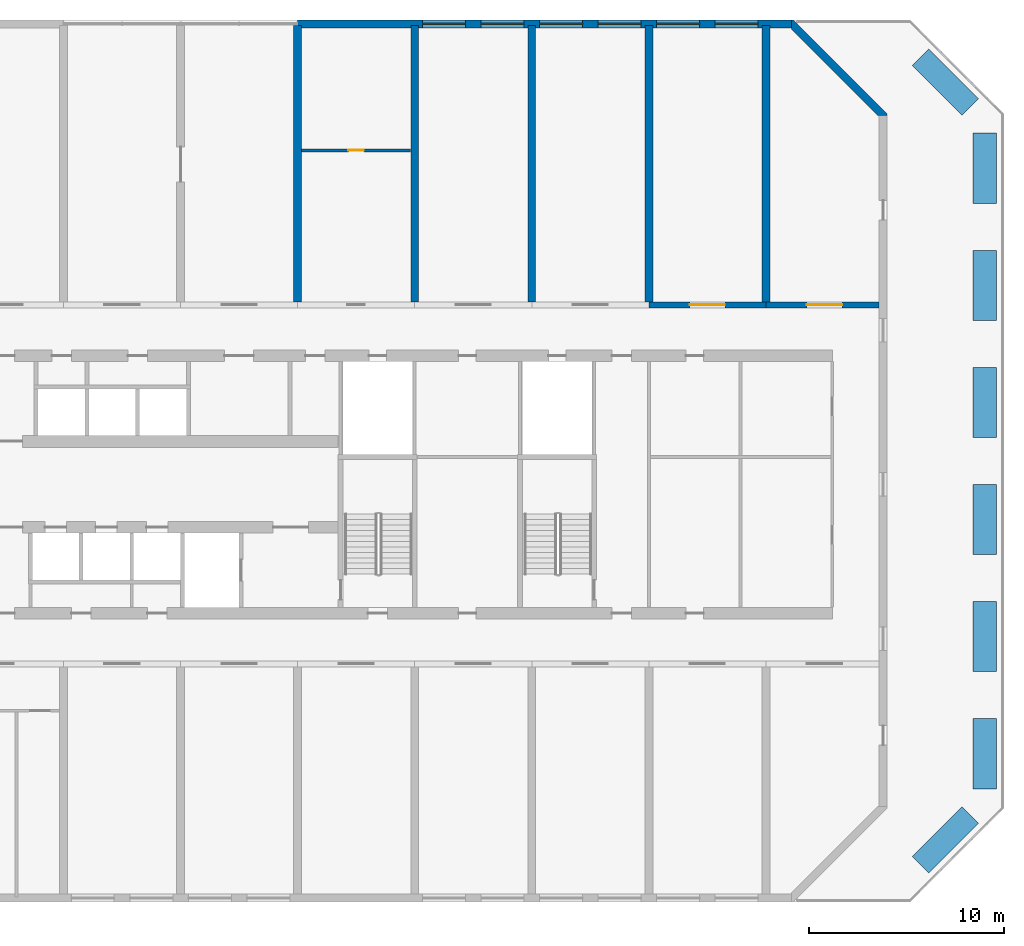
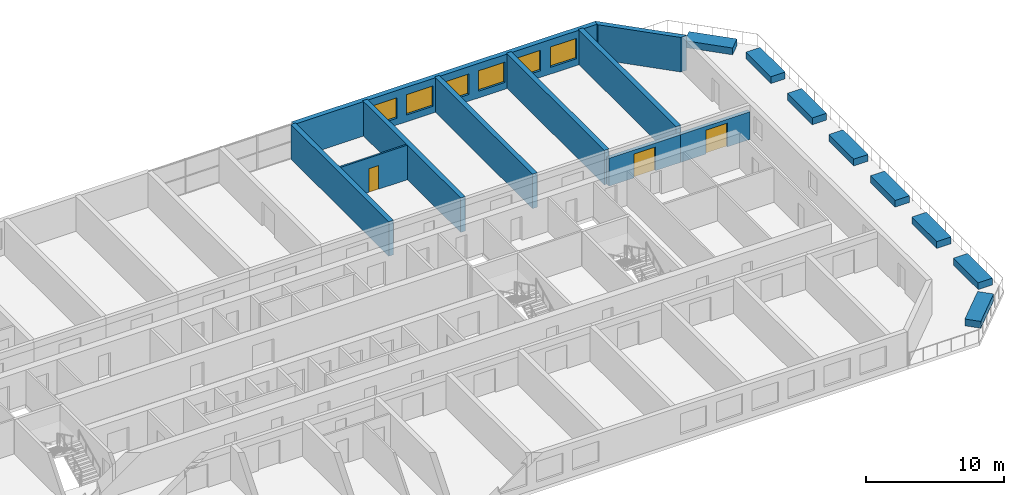
# One storey, part 16 of 21: 18 walls, 6 windows, 3 doors, 9 openings.
"""IFC4 building model written with IfcOpenShell, lengths in metres."""

import ifcopenshell
import ifcopenshell.guid

model = None  # the IFC model being written
_history = None  # IfcOwnerHistory: only IFC2X3 demands one
_inside = {}  # id of a spatial element -> (the spatial element, [elements in it])
_under = {}  # id of a project, library or spatial element -> (it, [spatial elements below it])
_declared = {}  # id of a project -> (the project, [libraries it declares])
_typed = {}  # id of a type object -> (the type object, [elements of that type])
_made_of = {}  # id of a material, layer set ... -> (it, [elements and type objects made of it])


def new_model(schema):
    """Start an empty IFC model of exactly this schema.

    Asked for "IFC4X3", IfcOpenShell would pick the latest addendum, in which some entities
    have other attributes; the version numbers below select the first issue.
    IFC2X3 requires an IfcOwnerHistory on every rooted entity: one is made here for all.
    """
    global model, _history
    if schema == "IFC4X3":
        model = ifcopenshell.file(schema_version=(4, 3, 0, 0))
    else:
        model = ifcopenshell.file(schema=schema)
    _inside.clear()
    _under.clear()
    _declared.clear()
    _typed.clear()
    _made_of.clear()
    _history = None
    if model.schema == "IFC2X3":
        org = make("IfcOrganization", Name="unknown")
        user = make(
            "IfcPersonAndOrganization",
            ThePerson=make("IfcPerson", FamilyName="unknown"),
            TheOrganization=org,
        )
        app = make(
            "IfcApplication",
            ApplicationDeveloper=org,
            Version="unknown",
            ApplicationFullName="unknown",
            ApplicationIdentifier="unknown",
        )
        _history = make(
            "IfcOwnerHistory",
            OwningUser=user,
            OwningApplication=app,
            ChangeAction="ADDED",
            CreationDate=0,
        )
    return model


def make(cls, **values):
    """One entity of the class cls with the attributes given. An attribute that is None is left unset."""
    return model.create_entity(
        cls, **{name: value for name, value in values.items() if value is not None}
    )


def rooted(cls, **values):
    """An entity with a GlobalId (a new one), such as an element, a storey or a relation."""
    return make(cls, GlobalId=ifcopenshell.guid.new(), OwnerHistory=_history, **values)


def si_unit(unit_type, name, prefix=None):
    """IfcSIUnit, for example si_unit("LENGTHUNIT", "METRE", prefix="MILLI")."""
    return make("IfcSIUnit", UnitType=unit_type, Prefix=prefix, Name=name)


def assignment(units):
    """IfcUnitAssignment: the units of a project."""
    return None if units is None else make("IfcUnitAssignment", Units=units)


def point(xyz):
    """IfcCartesianPoint."""
    return None if xyz is None else make("IfcCartesianPoint", Coordinates=xyz)


def direction(xyz):
    """IfcDirection."""
    return None if xyz is None else make("IfcDirection", DirectionRatios=xyz)


def frame(location, z_axis=None, x_axis=None):
    """IfcAxis2Placement3D, a coordinate frame: its origin and axes. An axis left out is left unset."""
    return make(
        "IfcAxis2Placement3D",
        Location=point(location),
        Axis=direction(z_axis),
        RefDirection=direction(x_axis),
    )


def frame_2d(location, x_axis=None):
    """IfcAxis2Placement2D, a coordinate frame in the plane: its origin and x axis."""
    return make(
        "IfcAxis2Placement2D", Location=point(location), RefDirection=direction(x_axis)
    )


def origin():
    """The frame at (0, 0, 0) with its axes left unset."""
    return frame((0.0, 0.0, 0.0))


def place(relative_to, where):
    """IfcLocalPlacement: puts the frame where relative to a parent placement (None: the world)."""
    return make(
        "IfcLocalPlacement", PlacementRelTo=relative_to, RelativePlacement=where
    )


def context(
    kind, dimensions, precision=None, world=None, true_north=None, identifier=None
):
    """IfcGeometricRepresentationContext, for example the 3D "Model" context."""
    return make(
        "IfcGeometricRepresentationContext",
        ContextIdentifier=identifier,
        ContextType=kind,
        CoordinateSpaceDimension=dimensions,
        Precision=precision,
        WorldCoordinateSystem=world,
        TrueNorth=true_north,
    )


def subcontext(parent, identifier, kind, view, scale=None):
    """IfcGeometricRepresentationSubContext, for example "Body" below "Model"."""
    return make(
        "IfcGeometricRepresentationSubContext",
        ContextIdentifier=identifier,
        ContextType=kind,
        ParentContext=parent,
        TargetScale=scale,
        TargetView=view,
    )


def project(units=None, contexts=None):
    """IfcProject with its units and contexts."""
    return rooted(
        "IfcProject",
        Name="project",
        RepresentationContexts=contexts,
        UnitsInContext=assignment(units),
    )


def spatial(cls, under=None, at=None, **own):
    """A site, building, storey or space (cls), placed at a placement, below another one or the project."""
    s = rooted(cls, ObjectPlacement=at, **own)
    if under is not None:
        _under.setdefault(under.id(), (under, []))[1].append(s)
    return s


def polyline(points):
    """IfcPolyline through the points."""
    return make("IfcPolyline", Points=[point(p) for p in points])


def profile(cls, at=None, kind="AREA", **sizes):
    """A parametric profile (cls). Its sizes go by their IFC names, for example OverallWidth=200.0."""
    return make(cls, ProfileType=kind, Position=at, **sizes)


def rectangle(**sizes):
    """IfcRectangleProfileDef."""
    return profile("IfcRectangleProfileDef", **sizes)


def outline(outer, holes=None, kind="AREA"):
    """IfcArbitraryClosedProfileDef: a profile drawn as a closed curve; with holes, ...WithVoids."""
    if holes is None:
        return make("IfcArbitraryClosedProfileDef", ProfileType=kind, OuterCurve=outer)
    return make(
        "IfcArbitraryProfileDefWithVoids",
        ProfileType=kind,
        OuterCurve=outer,
        InnerCurves=holes,
    )


def extrude(swept, where, along, depth):
    """IfcExtrudedAreaSolid: the profile swept, set in the frame where, extruded along a direction by depth."""
    return make(
        "IfcExtrudedAreaSolid",
        SweptArea=swept,
        Position=where,
        ExtrudedDirection=direction(along),
        Depth=depth,
    )


def shape(context_of_items, identifier, shape_type, items):
    """IfcShapeRepresentation: the items that make up one representation, for example the "Body"."""
    return make(
        "IfcShapeRepresentation",
        ContextOfItems=context_of_items,
        RepresentationIdentifier=identifier,
        RepresentationType=shape_type,
        Items=items,
    )


def source(mapping_origin, context_of_items, identifier, shape_type, items):
    """IfcRepresentationMap: a shape defined once, which mapped items show again and again."""
    return make(
        "IfcRepresentationMap",
        MappingOrigin=mapping_origin,
        MappedRepresentation=shape(context_of_items, identifier, shape_type, items),
    )


def transform(
    local_origin,
    x_axis=None,
    y_axis=None,
    z_axis=None,
    scale=None,
    scale2=None,
    scale3=None,
    uniform=True,
):
    """IfcCartesianTransformationOperator3D, or its non-uniform kind. x_axis, y_axis, z_axis: its Axis1, 2, 3."""
    if uniform:
        return make(
            "IfcCartesianTransformationOperator3D",
            Axis1=direction(x_axis),
            Axis2=direction(y_axis),
            LocalOrigin=point(local_origin),
            Scale=scale,
            Axis3=direction(z_axis),
        )
    return make(
        "IfcCartesianTransformationOperator3DnonUniform",
        Axis1=direction(x_axis),
        Axis2=direction(y_axis),
        LocalOrigin=point(local_origin),
        Scale=scale,
        Axis3=direction(z_axis),
        Scale2=scale2,
        Scale3=scale3,
    )


def mapped(mapping_source, mapping_target):
    """IfcMappedItem: shows the shape of a source again, moved by a transform."""
    return make(
        "IfcMappedItem", MappingSource=mapping_source, MappingTarget=mapping_target
    )


def material(Name=None, Category=None):
    """IfcMaterial."""
    return make("IfcMaterial", Name=Name, Category=Category)


def layer(
    of_material, thickness, ventilated=None, Name=None, Category=None, Priority=None
):
    """IfcMaterialLayer: one layer of a wall or slab, of a material (None: an air gap)."""
    return make(
        "IfcMaterialLayer",
        Material=of_material,
        LayerThickness=thickness,
        IsVentilated=ventilated,
        Name=Name,
        Category=Category,
        Priority=Priority,
    )


def layer_set(layers, Name=None):
    """IfcMaterialLayerSet."""
    return make("IfcMaterialLayerSet", MaterialLayers=layers, LayerSetName=Name)


def made_of(thing, what):
    """Note that an element or type object is made of a material, layer set ...; save() writes the relation."""
    if what is not None:
        _made_of.setdefault(what.id(), (what, []))[1].append(thing)
    return thing


def type_object(cls, material=None, **own):
    """A type object (cls), such as IfcWallType, which elements share."""
    return made_of(rooted(cls, **own), material)


def element(
    cls,
    number,
    at=None,
    inside=None,
    cuts=None,
    type_object=None,
    material=None,
    context=None,
    identifier="Body",
    shape_type=None,
    held_by="IfcProductDefinitionShape",
    body=None,
    shapes=None,
    **own,
):
    """One element of the class cls, such as IfcWall. Its Tag is "e" and its number.

    at: its placement. inside: the storey or other place that contains it. cuts: it is an
    opening in that element (IfcRelVoidsElement). A single representation is given by context,
    identifier, shape_type and body (its items); several are given by shapes. held_by: the class
    of the entity that holds the representations. save() writes the other relations.
    """
    e = rooted(cls, Tag="e%d" % number, ObjectPlacement=at, **own)
    if body is not None:
        shapes = [shape(context, identifier, shape_type, body)]
    if shapes is not None:
        e.Representation = make(held_by, Representations=shapes)
    if inside is not None:
        _inside.setdefault(inside.id(), (inside, []))[1].append(e)
    if cuts is not None:
        rooted(
            "IfcRelVoidsElement", RelatingBuildingElement=cuts, RelatedOpeningElement=e
        )
    if type_object is not None:
        _typed.setdefault(type_object.id(), (type_object, []))[1].append(e)
    return made_of(e, material)


def fill(opening, filler):
    """IfcRelFillsElement: the door or window that sits in an opening."""
    return rooted(
        "IfcRelFillsElement",
        RelatingOpeningElement=opening,
        RelatedBuildingElement=filler,
    )


def aggregate(whole, parts):
    """IfcRelAggregates: a whole, such as a stair, and the parts it consists of."""
    return rooted("IfcRelAggregates", RelatingObject=whole, RelatedObjects=parts)


def save(model, path):
    """Write the relations noted so far, then the file.

    IfcRelAggregates (storeys below a building ...), IfcRelContainedInSpatialStructure (elements
    in a storey), IfcRelDefinesByType, IfcRelAssociatesMaterial and IfcRelDeclares: one each for
    every whole, place, type object, material and project.
    """
    for whole, parts in _under.values():
        aggregate(whole, parts)
    for where, things in _inside.values():
        rooted(
            "IfcRelContainedInSpatialStructure",
            RelatedElements=things,
            RelatingStructure=where,
        )
    for kind, things in _typed.values():
        rooted("IfcRelDefinesByType", RelatedObjects=things, RelatingType=kind)
    for what, things in _made_of.values():
        rooted("IfcRelAssociatesMaterial", RelatedObjects=things, RelatingMaterial=what)
    for by, libraries in _declared.values():
        rooted("IfcRelDeclares", RelatingContext=by, RelatedDefinitions=libraries)
    model.write(path)


model = new_model("IFC4")

# Units and contexts
model_context = context("Model", 3, precision=1e-05, world=origin(), true_north=direction((0.0, 1.0)))
body_context = subcontext(model_context, "Body", "Model", "MODEL_VIEW")
ifc_project = project(units=[si_unit("LENGTHUNIT", "METRE"), si_unit("AREAUNIT", "SQUARE_METRE"), si_unit("VOLUMEUNIT", "CUBIC_METRE"), si_unit("PLANEANGLEUNIT", "RADIAN"), si_unit("MASSUNIT", "GRAM", prefix="KILO")], contexts=[model_context])

# Site, building, storey
site_placement = place(None, origin())
site = spatial("IfcSite", under=ifc_project, at=site_placement, CompositionType="ELEMENT")
building_placement = place(site_placement, origin())
building = spatial("IfcBuilding", under=site, at=building_placement, Name="Poui Terraces", CompositionType="ELEMENT")
storey_placement = place(building_placement, frame((0.0, 0.0, 53.10009765625)))
storey = spatial("IfcBuildingStorey", under=building, at=storey_placement, Name="L14", CompositionType="ELEMENT", Elevation=53.10009765625)

# Wall, opening, door
ifc_material_1 = material(Name="Concrete 80 MPa", Category="concrete")
ifc_layer_1 = layer(ifc_material_1, 0.300048828125)
ifc_layer_set_1 = layer_set([ifc_layer_1], Name="Concrete 80 MPa")
wall_type_1 = type_object("IfcWallType", Name="CORRIDOR WALL 300 80MPa", PredefinedType="SHEAR", material=ifc_layer_set_1)
wall_1_placement = place(storey_placement, frame((84.0, 30.39990234375, 0.0), z_axis=(0.0, 0.0, 1.0), x_axis=(1.0, 0.0, 0.0)))
wall_1 = element("IfcWall", 1, at=wall_1_placement, inside=storey, type_object=wall_type_1, Name="CORRIDOR WALL LINE E BAY 14", PredefinedType="SHEAR", context=body_context, shape_type="SweptSolid", body=[
    extrude(rectangle(XDim=6.0, YDim=0.300048828125, at=frame_2d((3.0, 0.0))), origin(), (0.0, 0.0, 1.0), 2.449951171875),
])
opening_1_placement = place(wall_1_placement, frame((2.10009765625, 0.0, 0.0)))
opening_1 = element("IfcOpeningElement", 2, at=opening_1_placement, cuts=wall_1, Name="Opening DD180", PredefinedType="OPENING", context=body_context, shape_type="SweptSolid", body=[
    extrude(rectangle(XDim=1.800048828125, YDim=2.10009765625, at=frame_2d((0.89990234375, 1.050048828125))), frame((0.0, 0.16015625, 0.0), z_axis=(0.0, -1.0, 0.0), x_axis=(1.0, 0.0, 0.0)), (0.0, 0.0, 1.0), 0.320068359375),
])
ifc_material_2 = material(Name="Steel fire door", Category="steel")
door_type_1 = type_object("IfcDoorType", Name="DOUBLE INTERNAL DOOR 1800 X 2100", OperationType="DOUBLE_DOOR_SINGLE_SWING", PredefinedType="DOOR", material=ifc_material_2)
door_1_placement = place(opening_1_placement, frame((1.800048828125, 0.0, 0.0), z_axis=(0.0, 0.0, 1.0), x_axis=(-1.0, 0.0, 0.0)))
door_1 = element("IfcDoor", 3, at=door_1_placement, inside=storey, type_object=door_type_1, Name="DOUBLE INTERNAL DOOR 034", OperationType="DOUBLE_DOOR_SINGLE_SWING", OverallHeight=2.10009765625, OverallWidth=1.800048828125, PredefinedType="DOOR", context=body_context, shape_type="SweptSolid", body=[
    extrude(rectangle(XDim=1.800048828125, YDim=2.10009765625, at=frame_2d((0.89990234375, 1.050048828125))), frame((0.0, 0.02490234375, 0.0), z_axis=(0.0, -1.0, 0.0), x_axis=(1.0, 0.0, 0.0)), (0.0, 0.0, 1.0), 0.050048828125),
])
fill(opening_1, door_1)

wall_2_placement = place(storey_placement, frame((90.0, 30.39990234375, 0.0), z_axis=(0.0, 0.0, 1.0), x_axis=(1.0, 0.0, 0.0)))
wall_2 = element("IfcWall", 4, at=wall_2_placement, inside=storey, type_object=wall_type_1, Name="CORRIDOR WALL LINE E BAY 15", PredefinedType="SHEAR", context=body_context, shape_type="SweptSolid", body=[
    extrude(rectangle(XDim=5.800048828125, YDim=0.300048828125, at=frame_2d((2.89990234375, 0.0))), origin(), (0.0, 0.0, 1.0), 2.449951171875),
])
opening_2_placement = place(wall_2_placement, frame((2.10009765625, 0.0, 0.0)))
opening_2 = element("IfcOpeningElement", 5, at=opening_2_placement, cuts=wall_2, Name="Opening DD180", PredefinedType="OPENING", context=body_context, shape_type="SweptSolid", body=[
    extrude(rectangle(XDim=1.800048828125, YDim=2.10009765625, at=frame_2d((0.89990234375, 1.050048828125))), frame((0.0, 0.16015625, 0.0), z_axis=(0.0, -1.0, 0.0), x_axis=(1.0, 0.0, 0.0)), (0.0, 0.0, 1.0), 0.320068359375),
])
door_2_placement = place(opening_2_placement, frame((1.800048828125, 0.0, 0.0), z_axis=(0.0, 0.0, 1.0), x_axis=(-1.0, 0.0, 0.0)))
door_2 = element("IfcDoor", 6, at=door_2_placement, inside=storey, type_object=door_type_1, Name="DOUBLE INTERNAL DOOR 035", OperationType="DOUBLE_DOOR_SINGLE_SWING", OverallHeight=2.10009765625, OverallWidth=1.800048828125, PredefinedType="DOOR", context=body_context, shape_type="SweptSolid", body=[
    extrude(rectangle(XDim=1.800048828125, YDim=2.10009765625, at=frame_2d((0.89990234375, 1.050048828125))), frame((0.0, 0.02490234375, 0.0), z_axis=(0.0, -1.0, 0.0), x_axis=(1.0, 0.0, 0.0)), (0.0, 0.0, 1.0), 0.050048828125),
])
fill(opening_2, door_2)

# Walls
ifc_layer_2 = layer(ifc_material_1, 0.39990234375)
ifc_layer_set_2 = layer_set([ifc_layer_2], Name="Concrete 80 MPa")
wall_type_2 = type_object("IfcWallType", Name="CROSS WALL 400 80MPa", PredefinedType="SHEAR", material=ifc_layer_set_2)
for number, where, z_axis, x_axis, name in (
    (7, (66.0, 30.550048828125, 0.0), (0.0, 0.0, 1.0), (0.0, 1.0, 0.0), "CROSS WALL LINE 12 NORTH"),
    (8, (72.0, 30.550048828125, 0.0), (0.0, 0.0, 1.0), (0.0, 1.0, 0.0), "CROSS WALL LINE 13 NORTH"),
    (9, (78.0, 30.550048828125, 0.0), (0.0, 0.0, 1.0), (0.0, 1.0, 0.0), "CROSS WALL LINE 14 NORTH"),
    (10, (84.0, 30.550048828125, 0.0), (0.0, 0.0, 1.0), (0.0, 1.0, 0.0), "CROSS WALL LINE 15 NORTH"),
    (11, (90.0, 30.550048828125, 0.0), (0.0, 0.0, 1.0), (0.0, 1.0, 0.0), "CROSS WALL LINE 16 NORTH"),
):
    element("IfcWall", number, at=place(storey_placement, frame(where, z_axis=z_axis, x_axis=x_axis)), inside=storey, type_object=wall_type_2, Name=name, PredefinedType="SHEAR", context=body_context, shape_type="SweptSolid", body=[
        extrude(rectangle(XDim=14.175048828125, YDim=0.39990234375, at=frame_2d((7.08740234375, 0.0))), origin(), (0.0, 0.0, 1.0), 3.0498046875),
    ])

# Wall, openings, windows
ifc_material_3 = material(Name="Precast concrete 40 MPa", Category="concrete")
ifc_layer_3 = layer(ifc_material_3, 0.39990234375)
ifc_layer_set_3 = layer_set([ifc_layer_3], Name="Precast concrete 40 MPa")
wall_type_3 = type_object("IfcWallType", Name="EXTERNAL WALL 400", PredefinedType="STANDARD", material=ifc_layer_set_3)
wall_3_placement = place(storey_placement, frame((91.317138671875, 44.800048828125, 0.0), z_axis=(0.0, 0.0, 1.0), x_axis=(-1.0, 0.0, 0.0)))
wall_3 = element("IfcWall", 12, at=wall_3_placement, inside=storey, type_object=wall_type_3, Name="EXTERNAL WALL N", PredefinedType="STANDARD", context=body_context, shape_type="SweptSolid", body=[
    extrude(rectangle(XDim=25.317138671875, YDim=0.39990234375, at=frame_2d((12.65869140625, 0.0))), origin(), (0.0, 0.0, 1.0), 3.0498046875),
])
opening_3_placement = place(wall_3_placement, frame((16.71728515625, 0.0, 0.60009765625)))
opening_3 = element("IfcOpeningElement", 13, at=opening_3_placement, cuts=wall_3, Name="Opening W3", PredefinedType="OPENING", context=body_context, shape_type="SweptSolid", body=[
    extrude(rectangle(XDim=2.199951171875, YDim=1.800048828125, at=frame_2d((1.10009765625, 0.89990234375))), frame((0.0, 0.2099609375, 0.0), z_axis=(0.0, -1.0, 0.0), x_axis=(1.0, 0.0, 0.0)), (0.0, 0.0, 1.0), 0.419921875),
])
opening_4_placement = place(wall_3_placement, frame((13.71728515625, 0.0, 0.60009765625)))
opening_4 = element("IfcOpeningElement", 14, at=opening_4_placement, cuts=wall_3, Name="Opening W3", PredefinedType="OPENING", context=body_context, shape_type="SweptSolid", body=[
    extrude(rectangle(XDim=2.199951171875, YDim=1.800048828125, at=frame_2d((1.10009765625, 0.89990234375))), frame((0.0, 0.2099609375, 0.0), z_axis=(0.0, -1.0, 0.0), x_axis=(1.0, 0.0, 0.0)), (0.0, 0.0, 1.0), 0.419921875),
])
opening_5_placement = place(wall_3_placement, frame((10.71728515625, 0.0, 0.60009765625)))
opening_5 = element("IfcOpeningElement", 15, at=opening_5_placement, cuts=wall_3, Name="Opening W3", PredefinedType="OPENING", context=body_context, shape_type="SweptSolid", body=[
    extrude(rectangle(XDim=2.199951171875, YDim=1.800048828125, at=frame_2d((1.10009765625, 0.89990234375))), frame((0.0, 0.2099609375, 0.0), z_axis=(0.0, -1.0, 0.0), x_axis=(1.0, 0.0, 0.0)), (0.0, 0.0, 1.0), 0.419921875),
])
opening_6_placement = place(wall_3_placement, frame((7.71728515625, 0.0, 0.60009765625)))
opening_6 = element("IfcOpeningElement", 16, at=opening_6_placement, cuts=wall_3, Name="Opening W3", PredefinedType="OPENING", context=body_context, shape_type="SweptSolid", body=[
    extrude(rectangle(XDim=2.199951171875, YDim=1.800048828125, at=frame_2d((1.10009765625, 0.89990234375))), frame((0.0, 0.2099609375, 0.0), z_axis=(0.0, -1.0, 0.0), x_axis=(1.0, 0.0, 0.0)), (0.0, 0.0, 1.0), 0.419921875),
])
opening_7_placement = place(wall_3_placement, frame((4.71728515625, 0.0, 0.60009765625)))
opening_7 = element("IfcOpeningElement", 17, at=opening_7_placement, cuts=wall_3, Name="Opening W3", PredefinedType="OPENING", context=body_context, shape_type="SweptSolid", body=[
    extrude(rectangle(XDim=2.199951171875, YDim=1.800048828125, at=frame_2d((1.10009765625, 0.89990234375))), frame((0.0, 0.2099609375, 0.0), z_axis=(0.0, -1.0, 0.0), x_axis=(1.0, 0.0, 0.0)), (0.0, 0.0, 1.0), 0.419921875),
])
opening_8_placement = place(wall_3_placement, frame((1.71728515625, 0.0, 0.60009765625)))
opening_8 = element("IfcOpeningElement", 18, at=opening_8_placement, cuts=wall_3, Name="Opening W3", PredefinedType="OPENING", context=body_context, shape_type="SweptSolid", body=[
    extrude(rectangle(XDim=2.199951171875, YDim=1.800048828125, at=frame_2d((1.10009765625, 0.89990234375))), frame((0.0, 0.2099609375, 0.0), z_axis=(0.0, -1.0, 0.0), x_axis=(1.0, 0.0, 0.0)), (0.0, 0.0, 1.0), 0.419921875),
])
ifc_material_4 = material(Name="Clear glass in aluminium frame", Category="aluminium")
window_type = type_object("IfcWindowType", Name="WINDOW 2200X1800", PartitioningType="DOUBLE_PANEL_HORIZONTAL", PredefinedType="WINDOW", material=ifc_material_4)
window_1_placement = place(opening_3_placement, origin())
window_1 = element("IfcWindow", 19, at=window_1_placement, inside=storey, type_object=window_type, Name="W3 WINDOW", OverallHeight=1.800048828125, OverallWidth=2.199951171875, PartitioningType="DOUBLE_PANEL_HORIZONTAL", PredefinedType="WINDOW", context=body_context, shape_type="SweptSolid", body=[
    extrude(rectangle(XDim=2.199951171875, YDim=1.800048828125, at=frame_2d((1.10009765625, 0.89990234375))), frame((0.0, 0.030029296875, 0.0), z_axis=(0.0, -1.0, 0.0), x_axis=(1.0, 0.0, 0.0)), (0.0, 0.0, 1.0), 0.06005859375),
])
fill(opening_3, window_1)
window_2_placement = place(opening_4_placement, origin())
window_2 = element("IfcWindow", 20, at=window_2_placement, inside=storey, type_object=window_type, Name="W3 WINDOW", OverallHeight=1.800048828125, OverallWidth=2.199951171875, PartitioningType="DOUBLE_PANEL_HORIZONTAL", PredefinedType="WINDOW", context=body_context, shape_type="SweptSolid", body=[
    extrude(rectangle(XDim=2.199951171875, YDim=1.800048828125, at=frame_2d((1.10009765625, 0.89990234375))), frame((0.0, 0.030029296875, 0.0), z_axis=(0.0, -1.0, 0.0), x_axis=(1.0, 0.0, 0.0)), (0.0, 0.0, 1.0), 0.06005859375),
])
fill(opening_4, window_2)
window_3_placement = place(opening_5_placement, origin())
window_3 = element("IfcWindow", 21, at=window_3_placement, inside=storey, type_object=window_type, Name="W3 WINDOW", OverallHeight=1.800048828125, OverallWidth=2.199951171875, PartitioningType="DOUBLE_PANEL_HORIZONTAL", PredefinedType="WINDOW", context=body_context, shape_type="SweptSolid", body=[
    extrude(rectangle(XDim=2.199951171875, YDim=1.800048828125, at=frame_2d((1.10009765625, 0.89990234375))), frame((0.0, 0.030029296875, 0.0), z_axis=(0.0, -1.0, 0.0), x_axis=(1.0, 0.0, 0.0)), (0.0, 0.0, 1.0), 0.06005859375),
])
fill(opening_5, window_3)
window_4_placement = place(opening_6_placement, origin())
window_4 = element("IfcWindow", 22, at=window_4_placement, inside=storey, type_object=window_type, Name="W3 WINDOW", OverallHeight=1.800048828125, OverallWidth=2.199951171875, PartitioningType="DOUBLE_PANEL_HORIZONTAL", PredefinedType="WINDOW", context=body_context, shape_type="SweptSolid", body=[
    extrude(rectangle(XDim=2.199951171875, YDim=1.800048828125, at=frame_2d((1.10009765625, 0.89990234375))), frame((0.0, 0.030029296875, 0.0), z_axis=(0.0, -1.0, 0.0), x_axis=(1.0, 0.0, 0.0)), (0.0, 0.0, 1.0), 0.06005859375),
])
fill(opening_6, window_4)
window_5_placement = place(opening_7_placement, origin())
window_5 = element("IfcWindow", 23, at=window_5_placement, inside=storey, type_object=window_type, Name="W3 WINDOW", OverallHeight=1.800048828125, OverallWidth=2.199951171875, PartitioningType="DOUBLE_PANEL_HORIZONTAL", PredefinedType="WINDOW", context=body_context, shape_type="SweptSolid", body=[
    extrude(rectangle(XDim=2.199951171875, YDim=1.800048828125, at=frame_2d((1.10009765625, 0.89990234375))), frame((0.0, 0.030029296875, 0.0), z_axis=(0.0, -1.0, 0.0), x_axis=(1.0, 0.0, 0.0)), (0.0, 0.0, 1.0), 0.06005859375),
])
fill(opening_7, window_5)
window_6_placement = place(opening_8_placement, origin())
window_6 = element("IfcWindow", 24, at=window_6_placement, inside=storey, type_object=window_type, Name="W3 WINDOW", OverallHeight=1.800048828125, OverallWidth=2.199951171875, PartitioningType="DOUBLE_PANEL_HORIZONTAL", PredefinedType="WINDOW", context=body_context, shape_type="SweptSolid", body=[
    extrude(rectangle(XDim=2.199951171875, YDim=1.800048828125, at=frame_2d((1.10009765625, 0.89990234375))), frame((0.0, 0.030029296875, 0.0), z_axis=(0.0, -1.0, 0.0), x_axis=(1.0, 0.0, 0.0)), (0.0, 0.0, 1.0), 0.06005859375),
])
fill(opening_8, window_6)

# Wall, opening, door
ifc_material_5 = material(Name="Plasterboard partition")
ifc_layer_4 = layer(ifc_material_5, 0.14990234375)
ifc_layer_set_4 = layer_set([ifc_layer_4], Name="Plasterboard partition")
wall_type_4 = type_object("IfcWallType", Name="PARTITION WALL 150", PredefinedType="PARTITIONING", material=ifc_layer_set_4)
wall_4_placement = place(storey_placement, frame((66.2099609375, 38.320068359375, 0.0), z_axis=(0.0, 0.0, 1.0), x_axis=(1.0, 0.0, 0.0)))
wall_4 = element("IfcWall", 25, at=wall_4_placement, inside=storey, type_object=wall_type_4, Name="PARTITION WALL 150", PredefinedType="PARTITIONING", context=body_context, shape_type="SweptSolid", body=[
    extrude(rectangle(XDim=5.580078125, YDim=0.14990234375, at=frame_2d((2.7900390625, 0.0))), origin(), (0.0, 0.0, 1.0), 3.0498046875),
])
opening_9_placement = place(wall_4_placement, frame((2.389892578125, 0.0, 0.0)))
opening_9 = element("IfcOpeningElement", 26, at=opening_9_placement, cuts=wall_4, Name="Opening D80", PredefinedType="OPENING", context=body_context, shape_type="SweptSolid", body=[
    extrude(rectangle(XDim=0.800048828125, YDim=2.10009765625, at=frame_2d((0.39990234375, 1.050048828125))), frame((0.0, 0.0849609375, 0.0), z_axis=(0.0, -1.0, 0.0), x_axis=(1.0, 0.0, 0.0)), (0.0, 0.0, 1.0), 0.169921875),
])
ifc_material_6 = material(Name="Solid core timber door", Category="wood")
door_type_2 = type_object("IfcDoorType", Name="BATHROOM, LAUNDRY AND STORE DOOR 800 X 2100", OperationType="NOTDEFINED", PredefinedType="DOOR", material=ifc_material_6)
door_3_placement = place(opening_9_placement, frame((0.800048828125, 0.0, 0.0), z_axis=(0.0, 0.0, 1.0), x_axis=(-1.0, 0.0, 0.0)))
door_3 = element("IfcDoor", 27, at=door_3_placement, inside=storey, type_object=door_type_2, Name="BATHROOM, LAUNDRY AND STORE DOOR 073", OperationType="SINGLE_SWING_RIGHT", OverallHeight=2.10009765625, OverallWidth=0.800048828125, PredefinedType="DOOR", context=body_context, shape_type="SweptSolid", body=[
    extrude(rectangle(XDim=0.800048828125, YDim=2.10009765625, at=frame_2d((0.39990234375, 1.050048828125))), frame((0.0, 0.02490234375, 0.0), z_axis=(0.0, -1.0, 0.0), x_axis=(1.0, 0.0, 0.0)), (0.0, 0.0, 1.0), 0.050048828125),
])
fill(opening_9, door_3)

# Walls
ifc_layer_5 = layer(ifc_material_3, 0.39990234375)
ifc_layer_set_5 = layer_set([ifc_layer_5], Name="Precast concrete 40 MPa")
wall_type_5 = type_object("IfcWallType", Name="TERRACOTTA CLAD CHAMFER WALL 400", PredefinedType="STANDARD", material=ifc_layer_set_5)
wall_5_placement = place(storey_placement, origin())
element("IfcWall", 28, at=wall_5_placement, inside=storey, type_object=wall_type_5, Name="CHAMFER WALL CH03", PredefinedType="STANDARD", context=body_context, shape_type="SweptSolid", body=[
    extrude(outline(polyline([(96.199951171875, 40.1171875), (96.199951171875, 40.199951171875), (91.39990234375, 45.0), (91.317138671875, 45.0), (91.317138671875, 44.51708984375), (95.71728515625, 40.1171875), (96.199951171875, 40.1171875)])), origin(), (0.0, 0.0, 1.0), 3.0498046875),
])
ifc_layer_6 = layer(ifc_material_3, 1.199951171875)
ifc_layer_set_6 = layer_set([ifc_layer_6], Name="Precast concrete 40 MPa")
wall_type_6 = type_object("IfcWallType", Name="PLANTER 600", PredefinedType="USERDEFINED", material=ifc_layer_set_6)
shared_shape_1 = source(origin(), body_context, "Body", "SweptSolid", [
    extrude(outline(polyline([(0.0, 0.0), (1.199951171875, 0.0), (1.199951171875, 3.599853515625), (0.0, 3.599853515625), (0.0, 0.0)])), origin(), (0.0, 0.0, 1.0), 0.599853515625),
])
for number, where, name in (
    (29, (100.6201171875, 35.60009765625, 0.0), "PLANTER"),
    (30, (100.6201171875, 29.60009765625, 0.0), "PLANTER"),
    (31, (100.6201171875, 23.60009765625, 0.0), "PLANTER"),
    (32, (100.6201171875, 17.60009765625, 0.0), "PLANTER"),
    (33, (100.6201171875, 11.60009765625, 0.0), "PLANTER"),
    (34, (100.6201171875, 5.60009765625, 0.0), "PLANTER"),
):
    element("IfcWall", number, at=place(storey_placement, frame(where)), inside=storey, type_object=wall_type_6, Name=name, ObjectType="PLANTER", PredefinedType="USERDEFINED", context=body_context, shape_type="MappedRepresentation", body=[
        mapped(shared_shape_1, transform((0.0, 0.0, 0.0))),
    ])
shared_shape_2 = source(origin(), body_context, "Body", "SweptSolid", [
    extrude(outline(polyline([(0.0, 0.0), (2.54541015625, -2.545654296875), (3.39404296875, -1.697265625), (0.848388671875, 0.848388671875), (0.0, 0.0)])), origin(), (0.0, 0.0, 1.0), 0.599853515625),
])
wall_6_placement = place(storey_placement, frame((97.50048828125, 42.665283203125, 0.0)))
element("IfcWall", 35, at=wall_6_placement, inside=storey, type_object=wall_type_6, Name="PLANTER", ObjectType="PLANTER", PredefinedType="USERDEFINED", context=body_context, shape_type="MappedRepresentation", body=[
    mapped(shared_shape_2, transform((0.0, 0.0, 0.0))),
])
shared_shape_3 = source(origin(), body_context, "Body", "SweptSolid", [
    extrude(outline(polyline([(0.0, 0.0), (0.848388671875, -0.848388671875), (3.39404296875, 1.697021484375), (2.54541015625, 2.545654296875), (0.0, 0.0)])), origin(), (0.0, 0.0, 1.0), 0.599853515625),
])
wall_7_placement = place(storey_placement, frame((97.50048828125, 2.134765625, 0.0)))
element("IfcWall", 36, at=wall_7_placement, inside=storey, type_object=wall_type_6, Name="PLANTER", ObjectType="PLANTER", PredefinedType="USERDEFINED", context=body_context, shape_type="MappedRepresentation", body=[
    mapped(shared_shape_3, transform((0.0, 0.0, 0.0))),
])

save(model, "model.ifc")
